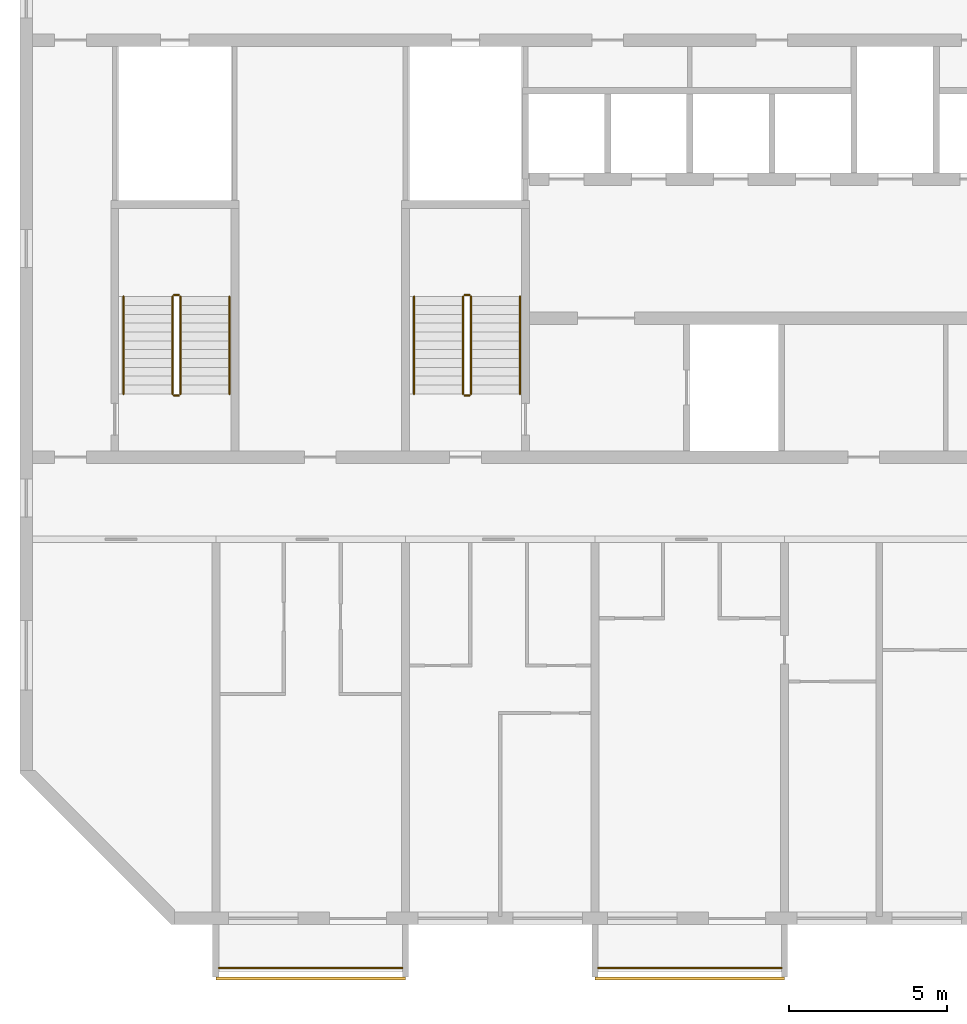
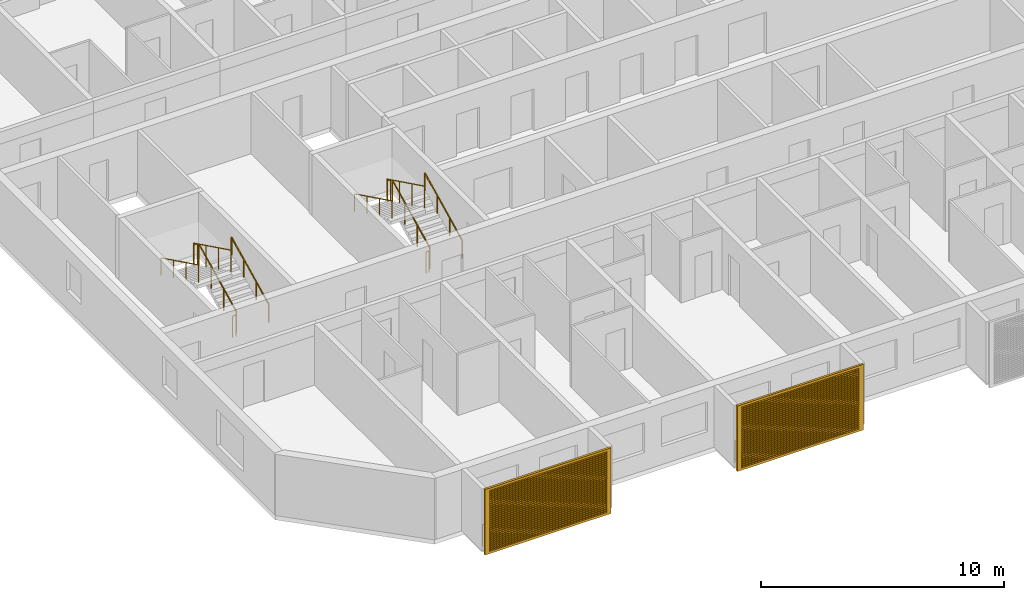
# One storey, part 12 of 26: 14 railings, 2 shading devices.
"""IFC4 building model written with IfcOpenShell, lengths in metres."""

from ifc_helpers import new_model, si_unit, direction, frame, origin, origin_2d, place, context, subcontext, project, spatial, polyline, circle, outline, extrude, source, transform, mapped, material, material_profile, profile_set, type_object, element, save


model = new_model("IFC4")

# Units and contexts
model_context = context("Model", 3, precision=1e-05, world=origin(), true_north=direction((0.0, 1.0)))
body_context = subcontext(model_context, "Body", "Model", "MODEL_VIEW")
ifc_project = project(units=[si_unit("LENGTHUNIT", "METRE"), si_unit("AREAUNIT", "SQUARE_METRE"), si_unit("VOLUMEUNIT", "CUBIC_METRE"), si_unit("PLANEANGLEUNIT", "RADIAN"), si_unit("MASSUNIT", "GRAM", prefix="KILO")], contexts=[model_context])

# Site, building, storey
site_placement = place(None, origin())
site = spatial("IfcSite", under=ifc_project, at=site_placement, CompositionType="ELEMENT")
building_placement = place(site_placement, origin())
building = spatial("IfcBuilding", under=site, at=building_placement, Name="Poui Terraces", CompositionType="ELEMENT")
storey_placement = place(building_placement, frame((0.0, 0.0, 171.89990234375)))
storey = spatial("IfcBuildingStorey", under=building, at=storey_placement, Name="L47", CompositionType="ELEMENT", Elevation=171.89990234375)

# Railings
ifc_material_1 = material(Name="Painted steel fretwork", Category="steel")
railing_type_1 = type_object("IfcRailingType", Name="BALCONY GUARD 1100", PredefinedType="GUARDRAIL", material=ifc_material_1)
for number, where, name in (
    (1, (24.10009765625, -1.570068359375, 0.0), "BALCONY GUARD"),
    (2, (36.10009765625, -1.570068359375, 0.0), "BALCONY GUARD"),
):
    element("IfcRailing", number, at=place(storey_placement, frame(where)), inside=storey, type_object=railing_type_1, Name=name, PredefinedType="GUARDRAIL", context=body_context, shape_type="SweptSolid", body=[
        extrude(circle(Radius=0.02392578125, at=origin_2d()), frame((0.0, 0.0, 1.076171875), z_axis=(1.0, 0.0, 0.0), x_axis=(0.0, 1.0, 0.0)), (0.0, 0.0, 1.0), 5.7998046875),
        extrude(circle(Radius=0.02099609375, at=origin_2d()), origin(), (0.0, 0.0, 1.0), 1.052001953125),
        extrude(circle(Radius=0.02099609375, at=origin_2d()), frame((0.966552734375, 0.0, 0.0)), (0.0, 0.0, 1.0), 1.052001953125),
        extrude(circle(Radius=0.02099609375, at=origin_2d()), frame((1.933349609375, 0.0, 0.0)), (0.0, 0.0, 1.0), 1.052001953125),
        extrude(circle(Radius=0.02099609375, at=origin_2d()), frame((2.89990234375, 0.0, 0.0)), (0.0, 0.0, 1.0), 1.052001953125),
        extrude(circle(Radius=0.02099609375, at=origin_2d()), frame((3.866455078125, 0.0, 0.0)), (0.0, 0.0, 1.0), 1.052001953125),
        extrude(circle(Radius=0.02099609375, at=origin_2d()), frame((4.833251953125, 0.0, 0.0)), (0.0, 0.0, 1.0), 1.052001953125),
        extrude(circle(Radius=0.02099609375, at=origin_2d()), frame((5.7998046875, 0.0, 0.0)), (0.0, 0.0, 1.0), 1.052001953125),
    ])
ifc_material_2 = material(Name="Galvanised steel balustrade", Category="steel")
railing_type_2 = type_object("IfcRailingType", Name="STAIR GUARD 1100", PredefinedType="GUARDRAIL", material=ifc_material_2)
railing_1_placement = place(storey_placement, frame((32.074951171875, 16.60009765625, 0.1376953125)))
element("IfcRailing", 3, at=railing_1_placement, inside=storey, type_object=railing_type_2, Name="L47 ST-CW stair guard 1", PredefinedType="GUARDRAIL", context=body_context, shape_type="SweptSolid", body=[
    extrude(circle(Radius=0.02392578125, at=origin_2d()), frame((0.0, 0.0, 1.076171875), z_axis=(0.0, 0.897606190399, 0.440798283751), x_axis=(-1.0, 0.0, 0.0)), (0.0, 0.0, 1.0), 3.43115234375),
    extrude(circle(Radius=0.02099609375, at=origin_2d()), origin(), (0.0, 0.0, 1.0), 1.052001953125),
    extrude(circle(Radius=0.02099609375, at=origin_2d()), frame((0.0, 1.026611328125, 0.504150390625)), (0.0, 0.0, 1.0), 1.052001953125),
    extrude(circle(Radius=0.02099609375, at=origin_2d()), frame((0.0, 2.05322265625, 1.00830078125)), (0.0, 0.0, 1.0), 1.052001953125),
    extrude(circle(Radius=0.02099609375, at=origin_2d()), frame((0.0, 3.079833984375, 1.512451171875)), (0.0, 0.0, 1.0), 1.052001953125),
])
railing_2_placement = place(storey_placement, frame((32.02490234375, 19.72998046875, 1.650146484375)))
element("IfcRailing", 4, at=railing_2_placement, inside=storey, type_object=railing_type_2, Name="L47 ST-CW stair guard 2", PredefinedType="GUARDRAIL", context=body_context, shape_type="SweptSolid", body=[
    extrude(circle(Radius=0.02392578125, at=origin_2d()), frame((0.0, 0.0, 1.076171875), z_axis=(-1.0, 0.0, 0.0), x_axis=(0.0, -1.0, 0.0)), (0.0, 0.0, 1.0), 0.14990234375),
    extrude(circle(Radius=0.02099609375, at=origin_2d()), origin(), (0.0, 0.0, 1.0), 1.052001953125),
    extrude(circle(Radius=0.02099609375, at=origin_2d()), frame((-0.14990234375, 0.0, 0.0)), (0.0, 0.0, 1.0), 1.052001953125),
])
railing_3_placement = place(storey_placement, frame((31.824951171875, 19.679931640625, 1.78759765625)))
element("IfcRailing", 5, at=railing_3_placement, inside=storey, type_object=railing_type_2, Name="L47 ST-CW stair guard 3", PredefinedType="GUARDRAIL", context=body_context, shape_type="SweptSolid", body=[
    extrude(circle(Radius=0.02392578125, at=origin_2d()), frame((0.0, 0.0, 1.076171875), z_axis=(0.0, -0.897606190399, 0.440798283751), x_axis=(1.0, 0.0, 0.0)), (0.0, 0.0, 1.0), 3.43115234375),
    extrude(circle(Radius=0.02099609375, at=origin_2d()), origin(), (0.0, 0.0, 1.0), 1.052001953125),
    extrude(circle(Radius=0.02099609375, at=origin_2d()), frame((0.0, -1.026611328125, 0.504150390625)), (0.0, 0.0, 1.0), 1.052001953125),
    extrude(circle(Radius=0.02099609375, at=origin_2d()), frame((0.0, -2.05322265625, 1.00830078125)), (0.0, 0.0, 1.0), 1.052001953125),
    extrude(circle(Radius=0.02099609375, at=origin_2d()), frame((0.0, -3.079833984375, 1.512451171875)), (0.0, 0.0, 1.0), 1.052001953125),
])
railing_4_placement = place(storey_placement, frame((32.02490234375, 16.550048828125, 0.0)))
element("IfcRailing", 6, at=railing_4_placement, inside=storey, type_object=railing_type_2, Name="L47 ST-CW stair guard 4", PredefinedType="GUARDRAIL", context=body_context, shape_type="SweptSolid", body=[
    extrude(circle(Radius=0.02392578125, at=origin_2d()), frame((0.0, 0.0, 1.076171875), z_axis=(-1.0, 0.0, 0.0), x_axis=(0.0, -1.0, 0.0)), (0.0, 0.0, 1.0), 0.14990234375),
    extrude(circle(Radius=0.02099609375, at=origin_2d()), origin(), (0.0, 0.0, 1.0), 1.052001953125),
    extrude(circle(Radius=0.02099609375, at=origin_2d()), frame((-0.14990234375, 0.0, 0.0)), (0.0, 0.0, 1.0), 1.052001953125),
])
railing_5_placement = place(storey_placement, frame((22.875, 16.60009765625, 0.1376953125)))
element("IfcRailing", 7, at=railing_5_placement, inside=storey, type_object=railing_type_2, Name="L47 ST-W stair guard 1", PredefinedType="GUARDRAIL", context=body_context, shape_type="SweptSolid", body=[
    extrude(circle(Radius=0.02392578125, at=origin_2d()), frame((0.0, 0.0, 1.076171875), z_axis=(0.0, 0.897606190399, 0.440798283751), x_axis=(-1.0, 0.0, 0.0)), (0.0, 0.0, 1.0), 3.43115234375),
    extrude(circle(Radius=0.02099609375, at=origin_2d()), origin(), (0.0, 0.0, 1.0), 1.052001953125),
    extrude(circle(Radius=0.02099609375, at=origin_2d()), frame((0.0, 1.026611328125, 0.504150390625)), (0.0, 0.0, 1.0), 1.052001953125),
    extrude(circle(Radius=0.02099609375, at=origin_2d()), frame((0.0, 2.05322265625, 1.00830078125)), (0.0, 0.0, 1.0), 1.052001953125),
    extrude(circle(Radius=0.02099609375, at=origin_2d()), frame((0.0, 3.079833984375, 1.512451171875)), (0.0, 0.0, 1.0), 1.052001953125),
])
railing_6_placement = place(storey_placement, frame((22.824951171875, 19.72998046875, 1.650146484375)))
element("IfcRailing", 8, at=railing_6_placement, inside=storey, type_object=railing_type_2, Name="L47 ST-W stair guard 2", PredefinedType="GUARDRAIL", context=body_context, shape_type="SweptSolid", body=[
    extrude(circle(Radius=0.02392578125, at=origin_2d()), frame((0.0, 0.0, 1.076171875), z_axis=(-1.0, 0.0, 0.0), x_axis=(0.0, -1.0, 0.0)), (0.0, 0.0, 1.0), 0.14990234375),
    extrude(circle(Radius=0.02099609375, at=origin_2d()), origin(), (0.0, 0.0, 1.0), 1.052001953125),
    extrude(circle(Radius=0.02099609375, at=origin_2d()), frame((-0.14990234375, 0.0, 0.0)), (0.0, 0.0, 1.0), 1.052001953125),
])
railing_7_placement = place(storey_placement, frame((22.625, 19.679931640625, 1.78759765625)))
element("IfcRailing", 9, at=railing_7_placement, inside=storey, type_object=railing_type_2, Name="L47 ST-W stair guard 3", PredefinedType="GUARDRAIL", context=body_context, shape_type="SweptSolid", body=[
    extrude(circle(Radius=0.02392578125, at=origin_2d()), frame((0.0, 0.0, 1.076171875), z_axis=(0.0, -0.897606190399, 0.440798283751), x_axis=(1.0, 0.0, 0.0)), (0.0, 0.0, 1.0), 3.43115234375),
    extrude(circle(Radius=0.02099609375, at=origin_2d()), origin(), (0.0, 0.0, 1.0), 1.052001953125),
    extrude(circle(Radius=0.02099609375, at=origin_2d()), frame((0.0, -1.026611328125, 0.504150390625)), (0.0, 0.0, 1.0), 1.052001953125),
    extrude(circle(Radius=0.02099609375, at=origin_2d()), frame((0.0, -2.05322265625, 1.00830078125)), (0.0, 0.0, 1.0), 1.052001953125),
    extrude(circle(Radius=0.02099609375, at=origin_2d()), frame((0.0, -3.079833984375, 1.512451171875)), (0.0, 0.0, 1.0), 1.052001953125),
])
railing_8_placement = place(storey_placement, frame((22.824951171875, 16.550048828125, 0.0)))
element("IfcRailing", 10, at=railing_8_placement, inside=storey, type_object=railing_type_2, Name="L47 ST-W stair guard 4", PredefinedType="GUARDRAIL", context=body_context, shape_type="SweptSolid", body=[
    extrude(circle(Radius=0.02392578125, at=origin_2d()), frame((0.0, 0.0, 1.076171875), z_axis=(-1.0, 0.0, 0.0), x_axis=(0.0, -1.0, 0.0)), (0.0, 0.0, 1.0), 0.14990234375),
    extrude(circle(Radius=0.02099609375, at=origin_2d()), origin(), (0.0, 0.0, 1.0), 1.052001953125),
    extrude(circle(Radius=0.02099609375, at=origin_2d()), frame((-0.14990234375, 0.0, 0.0)), (0.0, 0.0, 1.0), 1.052001953125),
])
ifc_material_3 = material(Name="Stainless steel handrail", Category="steel")
railing_type_3 = type_object("IfcRailingType", Name="STAIR HANDRAIL 900", PredefinedType="HANDRAIL", material=ifc_material_3)
railing_9_placement = place(storey_placement, frame((33.625, 16.60009765625, 0.1376953125)))
element("IfcRailing", 11, at=railing_9_placement, inside=storey, type_object=railing_type_3, Name="L47 ST-CW stair handrail 1", PredefinedType="HANDRAIL", context=body_context, shape_type="SweptSolid", body=[
    extrude(circle(Radius=0.02392578125, at=origin_2d()), frame((0.0, 0.0, 0.8759765625), z_axis=(0.0, 0.897606190399, 0.440798283751), x_axis=(-1.0, 0.0, 0.0)), (0.0, 0.0, 1.0), 3.43115234375),
    extrude(circle(Radius=0.02099609375, at=origin_2d()), origin(), (0.0, 0.0, 1.0), 0.851806640625),
    extrude(circle(Radius=0.02099609375, at=origin_2d()), frame((0.0, 1.026611328125, 0.504150390625)), (0.0, 0.0, 1.0), 0.851806640625),
    extrude(circle(Radius=0.02099609375, at=origin_2d()), frame((0.0, 2.05322265625, 1.00830078125)), (0.0, 0.0, 1.0), 0.851806640625),
    extrude(circle(Radius=0.02099609375, at=origin_2d()), frame((0.0, 3.079833984375, 1.512451171875)), (0.0, 0.0, 1.0), 0.851806640625),
])
railing_10_placement = place(storey_placement, frame((30.27490234375, 19.679931640625, 1.78759765625)))
element("IfcRailing", 12, at=railing_10_placement, inside=storey, type_object=railing_type_3, Name="L47 ST-CW stair handrail 2", PredefinedType="HANDRAIL", context=body_context, shape_type="SweptSolid", body=[
    extrude(circle(Radius=0.02392578125, at=origin_2d()), frame((0.0, 0.0, 0.8759765625), z_axis=(0.0, -0.897606190399, 0.440798283751), x_axis=(1.0, 0.0, 0.0)), (0.0, 0.0, 1.0), 3.43115234375),
    extrude(circle(Radius=0.02099609375, at=origin_2d()), origin(), (0.0, 0.0, 1.0), 0.851806640625),
    extrude(circle(Radius=0.02099609375, at=origin_2d()), frame((0.0, -1.026611328125, 0.504150390625)), (0.0, 0.0, 1.0), 0.851806640625),
    extrude(circle(Radius=0.02099609375, at=origin_2d()), frame((0.0, -2.05322265625, 1.00830078125)), (0.0, 0.0, 1.0), 0.851806640625),
    extrude(circle(Radius=0.02099609375, at=origin_2d()), frame((0.0, -3.079833984375, 1.512451171875)), (0.0, 0.0, 1.0), 0.851806640625),
])
railing_11_placement = place(storey_placement, frame((24.425048828125, 16.60009765625, 0.1376953125)))
element("IfcRailing", 13, at=railing_11_placement, inside=storey, type_object=railing_type_3, Name="L47 ST-W stair handrail 1", PredefinedType="HANDRAIL", context=body_context, shape_type="SweptSolid", body=[
    extrude(circle(Radius=0.02392578125, at=origin_2d()), frame((0.0, 0.0, 0.8759765625), z_axis=(0.0, 0.897606190399, 0.440798283751), x_axis=(-1.0, 0.0, 0.0)), (0.0, 0.0, 1.0), 3.43115234375),
    extrude(circle(Radius=0.02099609375, at=origin_2d()), origin(), (0.0, 0.0, 1.0), 0.851806640625),
    extrude(circle(Radius=0.02099609375, at=origin_2d()), frame((0.0, 1.026611328125, 0.504150390625)), (0.0, 0.0, 1.0), 0.851806640625),
    extrude(circle(Radius=0.02099609375, at=origin_2d()), frame((0.0, 2.05322265625, 1.00830078125)), (0.0, 0.0, 1.0), 0.851806640625),
    extrude(circle(Radius=0.02099609375, at=origin_2d()), frame((0.0, 3.079833984375, 1.512451171875)), (0.0, 0.0, 1.0), 0.851806640625),
])
railing_12_placement = place(storey_placement, frame((21.074951171875, 19.679931640625, 1.78759765625)))
element("IfcRailing", 14, at=railing_12_placement, inside=storey, type_object=railing_type_3, Name="L47 ST-W stair handrail 2", PredefinedType="HANDRAIL", context=body_context, shape_type="SweptSolid", body=[
    extrude(circle(Radius=0.02392578125, at=origin_2d()), frame((0.0, 0.0, 0.8759765625), z_axis=(0.0, -0.897606190399, 0.440798283751), x_axis=(1.0, 0.0, 0.0)), (0.0, 0.0, 1.0), 3.43115234375),
    extrude(circle(Radius=0.02099609375, at=origin_2d()), origin(), (0.0, 0.0, 1.0), 0.851806640625),
    extrude(circle(Radius=0.02099609375, at=origin_2d()), frame((0.0, -1.026611328125, 0.504150390625)), (0.0, 0.0, 1.0), 0.851806640625),
    extrude(circle(Radius=0.02099609375, at=origin_2d()), frame((0.0, -2.05322265625, 1.00830078125)), (0.0, 0.0, 1.0), 0.851806640625),
    extrude(circle(Radius=0.02099609375, at=origin_2d()), frame((0.0, -3.079833984375, 1.512451171875)), (0.0, 0.0, 1.0), 0.851806640625),
])

# Shading devices
ifc_material_4 = material(Name="Aluminium louvre", Category="aluminium")
ifc_material_profile = material_profile(ifc_material_4, outline(polyline([(-3.0, -1.64990234375), (3.0, -1.64990234375), (3.0, 1.64990234375), (-3.0, 1.64990234375), (-3.0, -1.64990234375)]), holes=[polyline([(-2.800048828125, -1.530029296875), (2.800048828125, -1.530029296875), (2.800048828125, -1.469970703125), (-2.800048828125, -1.469970703125), (-2.800048828125, -1.530029296875)]), polyline([(-2.800048828125, -1.429931640625), (2.800048828125, -1.429931640625), (2.800048828125, -1.3701171875), (-2.800048828125, -1.3701171875), (-2.800048828125, -1.429931640625)]), polyline([(-2.800048828125, -1.330078125), (2.800048828125, -1.330078125), (2.800048828125, -1.27001953125), (-2.800048828125, -1.27001953125), (-2.800048828125, -1.330078125)]), polyline([(-2.800048828125, -1.22998046875), (2.800048828125, -1.22998046875), (2.800048828125, -1.169921875), (-2.800048828125, -1.169921875), (-2.800048828125, -1.22998046875)]), polyline([(-2.800048828125, -1.1298828125), (2.800048828125, -1.1298828125), (2.800048828125, -1.070068359375), (-2.800048828125, -1.070068359375), (-2.800048828125, -1.1298828125)]), polyline([(-2.800048828125, -1.030029296875), (2.800048828125, -1.030029296875), (2.800048828125, -0.969970703125), (-2.800048828125, -0.969970703125), (-2.800048828125, -1.030029296875)]), polyline([(-2.800048828125, -0.929931640625), (2.800048828125, -0.929931640625), (2.800048828125, -0.8701171875), (-2.800048828125, -0.8701171875), (-2.800048828125, -0.929931640625)]), polyline([(-2.800048828125, -0.830078125), (2.800048828125, -0.830078125), (2.800048828125, -0.77001953125), (-2.800048828125, -0.77001953125), (-2.800048828125, -0.830078125)]), polyline([(-2.800048828125, -0.72998046875), (2.800048828125, -0.72998046875), (2.800048828125, -0.669921875), (-2.800048828125, -0.669921875), (-2.800048828125, -0.72998046875)]), polyline([(-2.800048828125, -0.6298828125), (2.800048828125, -0.6298828125), (2.800048828125, -0.570068359375), (-2.800048828125, -0.570068359375), (-2.800048828125, -0.6298828125)]), polyline([(-2.800048828125, -0.530029296875), (2.800048828125, -0.530029296875), (2.800048828125, -0.469970703125), (-2.800048828125, -0.469970703125), (-2.800048828125, -0.530029296875)]), polyline([(-2.800048828125, -0.429931640625), (2.800048828125, -0.429931640625), (2.800048828125, -0.3701171875), (-2.800048828125, -0.3701171875), (-2.800048828125, -0.429931640625)]), polyline([(-2.800048828125, -0.330078125), (2.800048828125, -0.330078125), (2.800048828125, -0.27001953125), (-2.800048828125, -0.27001953125), (-2.800048828125, -0.330078125)]), polyline([(-2.800048828125, -0.22998046875), (2.800048828125, -0.22998046875), (2.800048828125, -0.169921875), (-2.800048828125, -0.169921875), (-2.800048828125, -0.22998046875)]), polyline([(-2.800048828125, -0.1298828125), (2.800048828125, -0.1298828125), (2.800048828125, -0.070068359375), (-2.800048828125, -0.070068359375), (-2.800048828125, -0.1298828125)]), polyline([(-2.800048828125, -0.030029296875), (2.800048828125, -0.030029296875), (2.800048828125, 0.030029296875), (-2.800048828125, 0.030029296875), (-2.800048828125, -0.030029296875)]), polyline([(-2.800048828125, 0.070068359375), (2.800048828125, 0.070068359375), (2.800048828125, 0.1298828125), (-2.800048828125, 0.1298828125), (-2.800048828125, 0.070068359375)]), polyline([(-2.800048828125, 0.169921875), (2.800048828125, 0.169921875), (2.800048828125, 0.22998046875), (-2.800048828125, 0.22998046875), (-2.800048828125, 0.169921875)]), polyline([(-2.800048828125, 0.27001953125), (2.800048828125, 0.27001953125), (2.800048828125, 0.330078125), (-2.800048828125, 0.330078125), (-2.800048828125, 0.27001953125)]), polyline([(-2.800048828125, 0.3701171875), (2.800048828125, 0.3701171875), (2.800048828125, 0.429931640625), (-2.800048828125, 0.429931640625), (-2.800048828125, 0.3701171875)]), polyline([(-2.800048828125, 0.469970703125), (2.800048828125, 0.469970703125), (2.800048828125, 0.530029296875), (-2.800048828125, 0.530029296875), (-2.800048828125, 0.469970703125)]), polyline([(-2.800048828125, 0.570068359375), (2.800048828125, 0.570068359375), (2.800048828125, 0.6298828125), (-2.800048828125, 0.6298828125), (-2.800048828125, 0.570068359375)]), polyline([(-2.800048828125, 0.669921875), (2.800048828125, 0.669921875), (2.800048828125, 0.72998046875), (-2.800048828125, 0.72998046875), (-2.800048828125, 0.669921875)]), polyline([(-2.800048828125, 0.77001953125), (2.800048828125, 0.77001953125), (2.800048828125, 0.830078125), (-2.800048828125, 0.830078125), (-2.800048828125, 0.77001953125)]), polyline([(-2.800048828125, 0.8701171875), (2.800048828125, 0.8701171875), (2.800048828125, 0.929931640625), (-2.800048828125, 0.929931640625), (-2.800048828125, 0.8701171875)]), polyline([(-2.800048828125, 0.969970703125), (2.800048828125, 0.969970703125), (2.800048828125, 1.030029296875), (-2.800048828125, 1.030029296875), (-2.800048828125, 0.969970703125)]), polyline([(-2.800048828125, 1.070068359375), (2.800048828125, 1.070068359375), (2.800048828125, 1.1298828125), (-2.800048828125, 1.1298828125), (-2.800048828125, 1.070068359375)]), polyline([(-2.800048828125, 1.169921875), (2.800048828125, 1.169921875), (2.800048828125, 1.22998046875), (-2.800048828125, 1.22998046875), (-2.800048828125, 1.169921875)]), polyline([(-2.800048828125, 1.27001953125), (2.800048828125, 1.27001953125), (2.800048828125, 1.330078125), (-2.800048828125, 1.330078125), (-2.800048828125, 1.27001953125)]), polyline([(-2.800048828125, 1.3701171875), (2.800048828125, 1.3701171875), (2.800048828125, 1.429931640625), (-2.800048828125, 1.429931640625), (-2.800048828125, 1.3701171875)]), polyline([(-2.800048828125, 1.469970703125), (2.800048828125, 1.469970703125), (2.800048828125, 1.530029296875), (-2.800048828125, 1.530029296875), (-2.800048828125, 1.469970703125)])]), Name="JALOUSIE LOUVRE SHUTTER 6000X3300")
ifc_profile_set = profile_set([ifc_material_profile], Name="Aluminium louvre")
shading_device_type = type_object("IfcShadingDeviceType", Name="JALOUSIE LOUVRE SHUTTER 6000X3300", PredefinedType="JALOUSIE", material=ifc_profile_set)
shared_shape = source(origin(), body_context, "Body", "SweptSolid", [
    extrude(outline(polyline([(-3.0, -1.64990234375), (3.0, -1.64990234375), (3.0, 1.64990234375), (-3.0, 1.64990234375), (-3.0, -1.64990234375)]), holes=[polyline([(-2.800048828125, -1.530029296875), (2.800048828125, -1.530029296875), (2.800048828125, -1.469970703125), (-2.800048828125, -1.469970703125), (-2.800048828125, -1.530029296875)]), polyline([(-2.800048828125, -1.429931640625), (2.800048828125, -1.429931640625), (2.800048828125, -1.3701171875), (-2.800048828125, -1.3701171875), (-2.800048828125, -1.429931640625)]), polyline([(-2.800048828125, -1.330078125), (2.800048828125, -1.330078125), (2.800048828125, -1.27001953125), (-2.800048828125, -1.27001953125), (-2.800048828125, -1.330078125)]), polyline([(-2.800048828125, -1.22998046875), (2.800048828125, -1.22998046875), (2.800048828125, -1.169921875), (-2.800048828125, -1.169921875), (-2.800048828125, -1.22998046875)]), polyline([(-2.800048828125, -1.1298828125), (2.800048828125, -1.1298828125), (2.800048828125, -1.070068359375), (-2.800048828125, -1.070068359375), (-2.800048828125, -1.1298828125)]), polyline([(-2.800048828125, -1.030029296875), (2.800048828125, -1.030029296875), (2.800048828125, -0.969970703125), (-2.800048828125, -0.969970703125), (-2.800048828125, -1.030029296875)]), polyline([(-2.800048828125, -0.929931640625), (2.800048828125, -0.929931640625), (2.800048828125, -0.8701171875), (-2.800048828125, -0.8701171875), (-2.800048828125, -0.929931640625)]), polyline([(-2.800048828125, -0.830078125), (2.800048828125, -0.830078125), (2.800048828125, -0.77001953125), (-2.800048828125, -0.77001953125), (-2.800048828125, -0.830078125)]), polyline([(-2.800048828125, -0.72998046875), (2.800048828125, -0.72998046875), (2.800048828125, -0.669921875), (-2.800048828125, -0.669921875), (-2.800048828125, -0.72998046875)]), polyline([(-2.800048828125, -0.6298828125), (2.800048828125, -0.6298828125), (2.800048828125, -0.570068359375), (-2.800048828125, -0.570068359375), (-2.800048828125, -0.6298828125)]), polyline([(-2.800048828125, -0.530029296875), (2.800048828125, -0.530029296875), (2.800048828125, -0.469970703125), (-2.800048828125, -0.469970703125), (-2.800048828125, -0.530029296875)]), polyline([(-2.800048828125, -0.429931640625), (2.800048828125, -0.429931640625), (2.800048828125, -0.3701171875), (-2.800048828125, -0.3701171875), (-2.800048828125, -0.429931640625)]), polyline([(-2.800048828125, -0.330078125), (2.800048828125, -0.330078125), (2.800048828125, -0.27001953125), (-2.800048828125, -0.27001953125), (-2.800048828125, -0.330078125)]), polyline([(-2.800048828125, -0.22998046875), (2.800048828125, -0.22998046875), (2.800048828125, -0.169921875), (-2.800048828125, -0.169921875), (-2.800048828125, -0.22998046875)]), polyline([(-2.800048828125, -0.1298828125), (2.800048828125, -0.1298828125), (2.800048828125, -0.070068359375), (-2.800048828125, -0.070068359375), (-2.800048828125, -0.1298828125)]), polyline([(-2.800048828125, -0.030029296875), (2.800048828125, -0.030029296875), (2.800048828125, 0.030029296875), (-2.800048828125, 0.030029296875), (-2.800048828125, -0.030029296875)]), polyline([(-2.800048828125, 0.070068359375), (2.800048828125, 0.070068359375), (2.800048828125, 0.1298828125), (-2.800048828125, 0.1298828125), (-2.800048828125, 0.070068359375)]), polyline([(-2.800048828125, 0.169921875), (2.800048828125, 0.169921875), (2.800048828125, 0.22998046875), (-2.800048828125, 0.22998046875), (-2.800048828125, 0.169921875)]), polyline([(-2.800048828125, 0.27001953125), (2.800048828125, 0.27001953125), (2.800048828125, 0.330078125), (-2.800048828125, 0.330078125), (-2.800048828125, 0.27001953125)]), polyline([(-2.800048828125, 0.3701171875), (2.800048828125, 0.3701171875), (2.800048828125, 0.429931640625), (-2.800048828125, 0.429931640625), (-2.800048828125, 0.3701171875)]), polyline([(-2.800048828125, 0.469970703125), (2.800048828125, 0.469970703125), (2.800048828125, 0.530029296875), (-2.800048828125, 0.530029296875), (-2.800048828125, 0.469970703125)]), polyline([(-2.800048828125, 0.570068359375), (2.800048828125, 0.570068359375), (2.800048828125, 0.6298828125), (-2.800048828125, 0.6298828125), (-2.800048828125, 0.570068359375)]), polyline([(-2.800048828125, 0.669921875), (2.800048828125, 0.669921875), (2.800048828125, 0.72998046875), (-2.800048828125, 0.72998046875), (-2.800048828125, 0.669921875)]), polyline([(-2.800048828125, 0.77001953125), (2.800048828125, 0.77001953125), (2.800048828125, 0.830078125), (-2.800048828125, 0.830078125), (-2.800048828125, 0.77001953125)]), polyline([(-2.800048828125, 0.8701171875), (2.800048828125, 0.8701171875), (2.800048828125, 0.929931640625), (-2.800048828125, 0.929931640625), (-2.800048828125, 0.8701171875)]), polyline([(-2.800048828125, 0.969970703125), (2.800048828125, 0.969970703125), (2.800048828125, 1.030029296875), (-2.800048828125, 1.030029296875), (-2.800048828125, 0.969970703125)]), polyline([(-2.800048828125, 1.070068359375), (2.800048828125, 1.070068359375), (2.800048828125, 1.1298828125), (-2.800048828125, 1.1298828125), (-2.800048828125, 1.070068359375)]), polyline([(-2.800048828125, 1.169921875), (2.800048828125, 1.169921875), (2.800048828125, 1.22998046875), (-2.800048828125, 1.22998046875), (-2.800048828125, 1.169921875)]), polyline([(-2.800048828125, 1.27001953125), (2.800048828125, 1.27001953125), (2.800048828125, 1.330078125), (-2.800048828125, 1.330078125), (-2.800048828125, 1.27001953125)]), polyline([(-2.800048828125, 1.3701171875), (2.800048828125, 1.3701171875), (2.800048828125, 1.429931640625), (-2.800048828125, 1.429931640625), (-2.800048828125, 1.3701171875)]), polyline([(-2.800048828125, 1.469970703125), (2.800048828125, 1.469970703125), (2.800048828125, 1.530029296875), (-2.800048828125, 1.530029296875), (-2.800048828125, 1.469970703125)])]), origin(), (0.0, 0.0, 1.0), 0.099853515625),
])
for number, where, z_axis, x_axis, name in (
    (15, (27.0, -1.85009765625, 1.4501953125), (0.0, -1.0, 0.0), (1.0, 0.0, 0.0), "JALOUSIE LOUVRE SHUTTER"),
    (16, (39.0, -1.85009765625, 1.4501953125), (0.0, -1.0, 0.0), (1.0, 0.0, 0.0), "JALOUSIE LOUVRE SHUTTER"),
):
    element("IfcShadingDevice", number, at=place(storey_placement, frame(where, z_axis=z_axis, x_axis=x_axis)), inside=storey, type_object=shading_device_type, Name=name, PredefinedType="JALOUSIE", context=body_context, shape_type="MappedRepresentation", body=[
        mapped(shared_shape, transform((0.0, 0.0, 0.0))),
    ])

save(model, "model.ifc")
